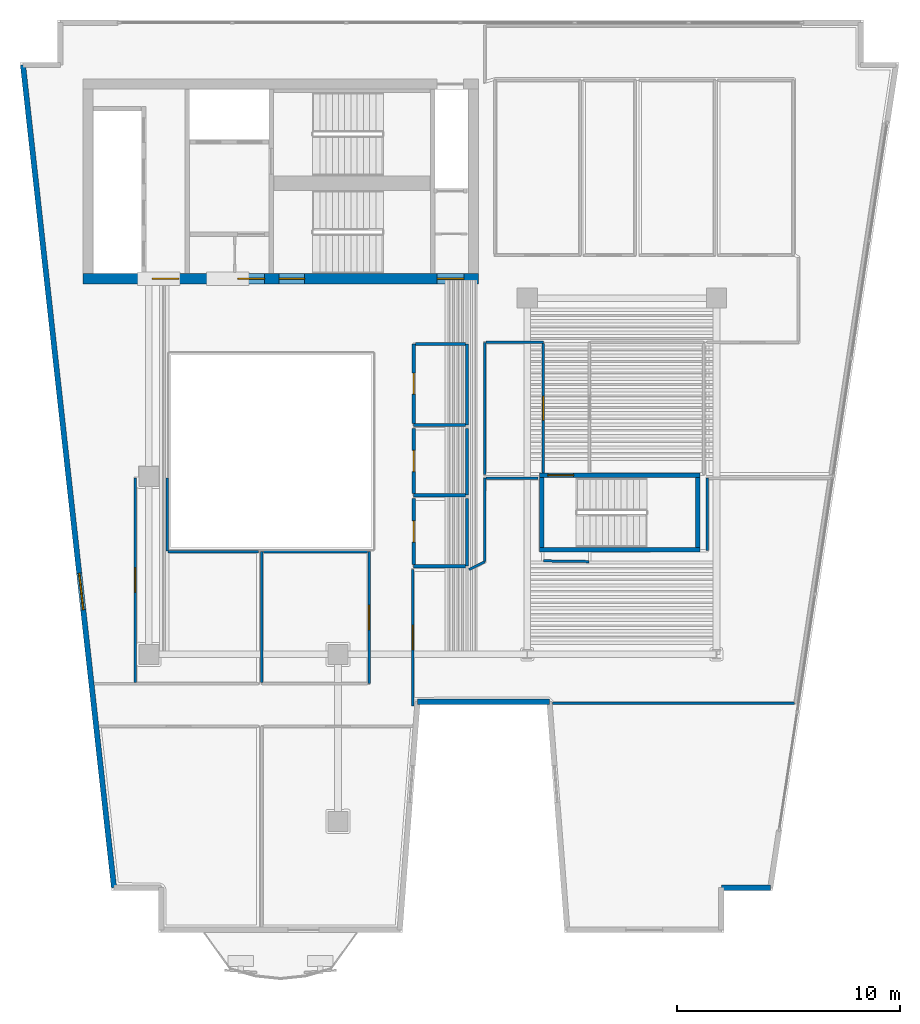
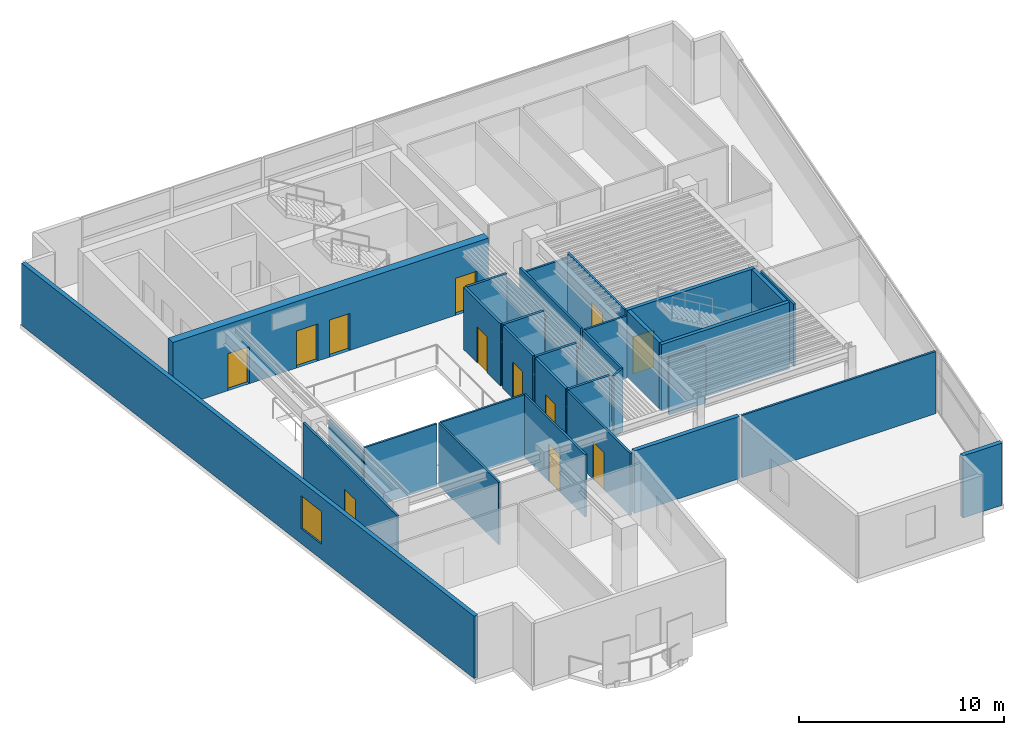
# One storey, part 4 of 8: 34 walls, 12 doors, 1 window, 13 openings.
"""IFC4 building model written with IfcOpenShell, lengths in metres."""

from ifc_helpers import new_model, si_unit, direction, frame, frame_2d, origin, place, context, subcontext, project, spatial, rectangle, extrude, material, layer, layer_set, type_object, element, fill, save


model = new_model("IFC4")

# Units and contexts
model_context = context("Model", 3, precision=1e-05, world=origin(), true_north=direction((0.0, 1.0)))
body_context = subcontext(model_context, "Body", "Model", "MODEL_VIEW")
ifc_project = project(units=[si_unit("LENGTHUNIT", "METRE"), si_unit("AREAUNIT", "SQUARE_METRE"), si_unit("VOLUMEUNIT", "CUBIC_METRE"), si_unit("PLANEANGLEUNIT", "RADIAN"), si_unit("MASSUNIT", "GRAM", prefix="KILO")], contexts=[model_context])

# Site, building, storey
site_placement = place(None, origin())
site = spatial("IfcSite", under=ifc_project, at=site_placement, CompositionType="ELEMENT")
building_placement = place(site_placement, origin())
building = spatial("IfcBuilding", under=site, at=building_placement, Name="Caeloran Harvest Quay", CompositionType="ELEMENT")
storey_placement = place(building_placement, frame((0.0, 0.0, 243.0)))
storey = spatial("IfcBuildingStorey", under=building, at=storey_placement, Name="L58", CompositionType="ELEMENT", Elevation=243.0)

# Wall, opening, window
ifc_material_1 = material(Name="Precast concrete C50/60", Category="concrete")
ifc_layer_1 = layer(ifc_material_1, 0.239990234375, Name="Precast concrete C50/60")
ifc_layer_set_1 = layer_set([ifc_layer_1], Name="Precast concrete C50/60")
wall_type_1 = type_object("IfcWallType", Name="ENV-WALL-EW-240", PredefinedType="STANDARD", material=ifc_layer_set_1)
wall_1_placement = place(storey_placement, frame((6.933349609375, 4.52001953125, 0.0), z_axis=(0.0, 0.0, 1.0), x_axis=(-0.109965284523, 0.993935428587, 0.0)))
wall_1 = element("IfcWall", 1, at=wall_1_placement, inside=storey, type_object=wall_type_1, Name="L58 Exterior Precast Concrete Facade Wall 3", PredefinedType="STANDARD", context=body_context, shape_type="SweptSolid", body=[
    extrude(rectangle(XDim=37.185546875, YDim=0.239990234375, at=frame_2d((18.5927734375, 0.0))), origin(), (0.0, 0.0, 1.0), 3.699951171875),
])
opening_1_placement = place(wall_1_placement, frame((12.56201171875, 0.0, 0.89990234375)))
opening_1 = element("IfcOpeningElement", 2, at=opening_1_placement, cuts=wall_1, Name="Opening W-08", PredefinedType="OPENING", context=body_context, shape_type="SweptSolid", body=[
    extrude(rectangle(XDim=1.64990234375, YDim=1.949951171875, at=frame_2d((0.824951171875, 0.97509765625))), frame((0.0, 0.1298828125, 0.0), z_axis=(0.0, -1.0, 0.0), x_axis=(1.0, 0.0, 0.0)), (0.0, 0.0, 1.0), 0.260009765625),
])
ifc_material_2 = material(Name="Aluminium-Framed Low-E Laminated Glass", Category="aluminium")
window_type = type_object("IfcWindowType", Name="WIN-W-08", PartitioningType="SINGLE_PANEL", PredefinedType="WINDOW", material=ifc_material_2)
window_placement = place(opening_1_placement, origin())
window = element("IfcWindow", 3, at=window_placement, inside=storey, type_object=window_type, Name="L58 Facade Punched Window W-08", OverallHeight=1.949951171875, OverallWidth=1.64990234375, PartitioningType="SINGLE_PANEL", PredefinedType="WINDOW", context=body_context, shape_type="SweptSolid", body=[
    extrude(rectangle(XDim=1.64990234375, YDim=1.949951171875, at=frame_2d((0.824951171875, 0.97509765625))), frame((0.0, 0.030029296875, 0.0), z_axis=(0.0, -1.0, 0.0), x_axis=(1.0, 0.0, 0.0)), (0.0, 0.0, 1.0), 0.06005859375),
])
fill(opening_1, window)

# Walls
wall_2_placement = place(storey_placement, frame((36.423095703125, 4.52001953125, 0.0), z_axis=(0.0, 0.0, 1.0), x_axis=(-1.0, 0.0, 0.0)))
element("IfcWall", 4, at=wall_2_placement, inside=storey, type_object=wall_type_1, Name="L58 Exterior Precast Concrete Facade Wall 10", PredefinedType="STANDARD", context=body_context, shape_type="SweptSolid", body=[
    extrude(rectangle(XDim=2.20703125, YDim=0.239990234375, at=frame_2d((1.103515625, 0.0))), origin(), (0.0, 0.0, 1.0), 3.699951171875),
])
wall_3_placement = place(storey_placement, frame((26.4951171875, 12.8701171875, 0.0), z_axis=(0.0, 0.0, 1.0), x_axis=(-1.0, 0.0, 0.0)))
element("IfcWall", 5, at=wall_3_placement, inside=storey, type_object=wall_type_1, Name="L58 Exterior Precast Concrete Facade Wall 14", PredefinedType="STANDARD", context=body_context, shape_type="SweptSolid", body=[
    extrude(rectangle(XDim=5.922119140625, YDim=0.239990234375, at=frame_2d((2.9609375, 0.0))), origin(), (0.0, 0.0, 1.0), 3.699951171875),
])

# Wall, opening, door
ifc_material_3 = material(Name="Single-Stud Acoustic Gypsum Office Partition", Category="gypsum")
ifc_layer_2 = layer(ifc_material_3, 0.112060546875, Name="Single-Stud Acoustic Gypsum Office Partition")
ifc_layer_set_2 = layer_set([ifc_layer_2], Name="Single-Stud Acoustic Gypsum Office Partition")
wall_type_2 = type_object("IfcWallType", Name="INT-WALL-PW-112", PredefinedType="PARTITIONING", material=ifc_layer_set_2)
wall_4_placement = place(storey_placement, frame((18.389892578125, 19.6201171875, 0.0), z_axis=(0.0, 0.0, 1.0), x_axis=(0.0, -1.0, 0.0)))
wall_4 = element("IfcWall", 6, at=wall_4_placement, inside=storey, type_object=wall_type_2, Name="Director Office Partition Wall", PredefinedType="PARTITIONING", context=body_context, shape_type="SweptSolid", body=[
    extrude(rectangle(XDim=5.940185546875, YDim=0.112060546875, at=frame_2d((2.97021484375, 0.0))), origin(), (0.0, 0.0, 1.0), 3.699951171875),
])
opening_2_placement = place(wall_4_placement, frame((2.419921875, 0.0, 0.0)))
opening_2 = element("IfcOpeningElement", 7, at=opening_2_placement, cuts=wall_4, Name="Opening ID-04", PredefinedType="OPENING", context=body_context, shape_type="SweptSolid", body=[
    extrude(rectangle(XDim=1.10009765625, YDim=2.199951171875, at=frame_2d((0.550048828125, 1.10009765625))), frame((0.0, 0.06591796875, 0.0), z_axis=(0.0, -1.0, 0.0), x_axis=(1.0, 0.0, 0.0)), (0.0, 0.0, 1.0), 0.132080078125),
])
ifc_material_4 = material(Name="Acoustic Walnut Veneer Executive Door", Category="wood")
door_type_1 = type_object("IfcDoorType", Name="INTDOOR-ID-04", OperationType="NOTDEFINED", PredefinedType="DOOR", material=ifc_material_4)
door_1_placement = place(opening_2_placement, origin())
door_1 = element("IfcDoor", 8, at=door_1_placement, inside=storey, type_object=door_type_1, Name="Director Office Access Door", OperationType="SINGLE_SWING_RIGHT", OverallHeight=2.199951171875, OverallWidth=1.10009765625, PredefinedType="DOOR", context=body_context, shape_type="SweptSolid", body=[
    extrude(rectangle(XDim=1.10009765625, YDim=2.199951171875, at=frame_2d((0.550048828125, 1.10009765625))), frame((0.0, 0.02490234375, 0.0), z_axis=(0.0, -1.0, 0.0), x_axis=(1.0, 0.0, 0.0)), (0.0, 0.0, 1.0), 0.050048828125),
])
fill(opening_2, door_1)

# Walls
wall_5_placement = place(storey_placement, frame((13.580078125, 13.740966796875, 0.0), z_axis=(0.0, 0.0, 1.0), x_axis=(0.0, 1.0, 0.0)))
element("IfcWall", 9, at=wall_5_placement, inside=storey, type_object=wall_type_2, Name="Director Office Partition Wall", PredefinedType="PARTITIONING", context=body_context, shape_type="SweptSolid", body=[
    extrude(rectangle(XDim=5.879150390625, YDim=0.112060546875, at=frame_2d((2.939453125, 0.0))), origin(), (0.0, 0.0, 1.0), 3.699951171875),
])
wall_6_placement = place(storey_placement, frame((13.64111328125, 19.6201171875, 0.0), z_axis=(0.0, 0.0, 1.0), x_axis=(1.0, 0.0, 0.0)))
element("IfcWall", 10, at=wall_6_placement, inside=storey, type_object=wall_type_2, Name="Director Office Partition Wall", PredefinedType="PARTITIONING", context=body_context, shape_type="SweptSolid", body=[
    extrude(rectangle(XDim=4.68798828125, YDim=0.112060546875, at=frame_2d((2.343994140625, 0.0))), origin(), (0.0, 0.0, 1.0), 3.699951171875),
])
wall_7_placement = place(storey_placement, frame((33.580078125, 19.6708984375, 0.0), z_axis=(0.0, 0.0, 1.0), x_axis=(0.0, 1.0, 0.0)))
element("IfcWall", 11, at=wall_7_placement, inside=storey, type_object=wall_type_2, Name="Client Review Meeting Room Partition Wall", PredefinedType="PARTITIONING", context=body_context, shape_type="SweptSolid", body=[
    extrude(rectangle(XDim=3.2490234375, YDim=0.112060546875, at=frame_2d((1.62451171875, 0.0))), origin(), (0.0, 0.0, 1.0), 3.699951171875),
])
wall_8_placement = place(storey_placement, frame((37.513916015625, 12.800048828125, 0.0), z_axis=(0.0, 0.0, 1.0), x_axis=(-1.0, 0.0, 0.0)))
element("IfcWall", 12, at=wall_8_placement, inside=storey, type_object=wall_type_2, Name="Client Review Meeting Room Partition Wall", PredefinedType="PARTITIONING", context=body_context, shape_type="SweptSolid", body=[
    extrude(rectangle(XDim=10.88818359375, YDim=0.112060546875, at=frame_2d((5.444091796875, 0.0))), origin(), (0.0, 0.0, 1.0), 3.699951171875),
])

# Wall, opening, door
wall_9_placement = place(storey_placement, frame((20.35009765625, 12.688720703125, 0.0), z_axis=(0.0, 0.0, 1.0), x_axis=(0.0, 1.0, 0.0)))
wall_9 = element("IfcWall", 13, at=wall_9_placement, inside=storey, type_object=wall_type_2, Name="Client Review Meeting Room Partition Wall", PredefinedType="PARTITIONING", context=body_context, shape_type="SweptSolid", body=[
    extrude(rectangle(XDim=6.121337890625, YDim=0.112060546875, at=frame_2d((3.060546875, 0.0))), origin(), (0.0, 0.0, 1.0), 3.699951171875),
])
opening_3_placement = place(wall_9_placement, frame((2.5107421875, 0.0, 0.0)))
opening_3 = element("IfcOpeningElement", 14, at=opening_3_placement, cuts=wall_9, Name="Opening ID-04", PredefinedType="OPENING", context=body_context, shape_type="SweptSolid", body=[
    extrude(rectangle(XDim=1.10009765625, YDim=2.199951171875, at=frame_2d((0.550048828125, 1.10009765625))), frame((0.0, 0.06591796875, 0.0), z_axis=(0.0, -1.0, 0.0), x_axis=(1.0, 0.0, 0.0)), (0.0, 0.0, 1.0), 0.132080078125),
])
door_2_placement = place(opening_3_placement, origin())
door_2 = element("IfcDoor", 15, at=door_2_placement, inside=storey, type_object=door_type_1, Name="Client Review Meeting Room Access Door", OperationType="SINGLE_SWING_LEFT", OverallHeight=2.199951171875, OverallWidth=1.10009765625, PredefinedType="DOOR", context=body_context, shape_type="SweptSolid", body=[
    extrude(rectangle(XDim=1.10009765625, YDim=2.199951171875, at=frame_2d((0.550048828125, 1.10009765625))), frame((0.0, 0.02490234375, 0.0), z_axis=(0.0, -1.0, 0.0), x_axis=(1.0, 0.0, 0.0)), (0.0, 0.0, 1.0), 0.050048828125),
])
fill(opening_3, door_2)

# Walls
wall_10_placement = place(storey_placement, frame((22.883056640625, 18.81005859375, 0.0), z_axis=(0.0, 0.0, 1.0), x_axis=(0.893737436086, 0.448590453909, 0.0)))
element("IfcWall", 16, at=wall_10_placement, inside=storey, type_object=wall_type_2, Name="Client Review Meeting Room Partition Wall", PredefinedType="PARTITIONING", context=body_context, shape_type="SweptSolid", body=[
    extrude(rectangle(XDim=0.77978515625, YDim=0.112060546875, at=frame_2d((0.389892578125, 0.0))), origin(), (0.0, 0.0, 1.0), 3.699951171875),
])
wall_11_placement = place(storey_placement, frame((23.580078125, 19.171142578125, 0.0), z_axis=(0.0, 0.0, 1.0), x_axis=(0.0, 1.0, 0.0)))
element("IfcWall", 17, at=wall_11_placement, inside=storey, type_object=wall_type_2, Name="Client Review Meeting Room Partition Wall", PredefinedType="PARTITIONING", context=body_context, shape_type="SweptSolid", body=[
    extrude(rectangle(XDim=3.748779296875, YDim=0.112060546875, at=frame_2d((1.87451171875, 0.0))), origin(), (0.0, 0.0, 1.0), 3.699951171875),
])
wall_12_placement = place(storey_placement, frame((23.64111328125, 22.919921875, 0.0), z_axis=(0.0, 0.0, 1.0), x_axis=(1.0, 0.0, 0.0)))
element("IfcWall", 18, at=wall_12_placement, inside=storey, type_object=wall_type_2, Name="Client Review Meeting Room Partition Wall", PredefinedType="PARTITIONING", context=body_context, shape_type="SweptSolid", body=[
    extrude(rectangle(XDim=2.347900390625, YDim=0.112060546875, at=frame_2d((1.173828125, 0.0))), origin(), (0.0, 0.0, 1.0), 3.699951171875),
])
wall_13_placement = place(storey_placement, frame((26.219970703125, 19.199951171875, 0.0), z_axis=(0.0, 0.0, 1.0), x_axis=(0.999893773718, -0.014575365509, 0.0)))
element("IfcWall", 19, at=wall_13_placement, inside=storey, type_object=wall_type_2, Name="Client Review Meeting Room Partition Wall", PredefinedType="PARTITIONING", context=body_context, shape_type="SweptSolid", body=[
    extrude(rectangle(XDim=2.060302734375, YDim=0.112060546875, at=frame_2d((1.0302734375, 0.0))), origin(), (0.0, 0.0, 1.0), 3.385009765625),
])
wall_14_placement = place(storey_placement, frame((9.35009765625, 19.6201171875, 0.0), z_axis=(0.0, 0.0, 1.0), x_axis=(1.0, 0.0, 0.0)))
element("IfcWall", 20, at=wall_14_placement, inside=storey, type_object=wall_type_2, Name="Terrace Cafe Kitchen Partition Wall", PredefinedType="PARTITIONING", context=body_context, shape_type="SweptSolid", body=[
    extrude(rectangle(XDim=4.06982421875, YDim=0.112060546875, at=frame_2d((2.034912109375, 0.0))), origin(), (0.0, 0.0, 1.0), 3.699951171875),
])

# Wall, opening, door
wall_15_placement = place(storey_placement, frame((7.8798828125, 13.740966796875, 0.0), z_axis=(0.0, 0.0, 1.0), x_axis=(0.0, 1.0, 0.0)))
wall_15 = element("IfcWall", 21, at=wall_15_placement, inside=storey, type_object=wall_type_2, Name="Terrace Cafe Kitchen Partition Wall", PredefinedType="PARTITIONING", context=body_context, shape_type="SweptSolid", body=[
    extrude(rectangle(XDim=9.178955078125, YDim=0.112060546875, at=frame_2d((4.58935546875, 0.0))), origin(), (0.0, 0.0, 1.0), 3.699951171875),
])
opening_4_placement = place(wall_15_placement, frame((4.03955078125, 0.0, 0.0)))
opening_4 = element("IfcOpeningElement", 22, at=opening_4_placement, cuts=wall_15, Name="Opening ID-04", PredefinedType="OPENING", context=body_context, shape_type="SweptSolid", body=[
    extrude(rectangle(XDim=1.10009765625, YDim=2.199951171875, at=frame_2d((0.550048828125, 1.10009765625))), frame((0.0, 0.06591796875, 0.0), z_axis=(0.0, -1.0, 0.0), x_axis=(1.0, 0.0, 0.0)), (0.0, 0.0, 1.0), 0.132080078125),
])
door_3_placement = place(opening_4_placement, origin())
door_3 = element("IfcDoor", 23, at=door_3_placement, inside=storey, type_object=door_type_1, Name="Terrace Cafe Kitchen Access Door", OperationType="SINGLE_SWING_RIGHT", OverallHeight=2.199951171875, OverallWidth=1.10009765625, PredefinedType="DOOR", context=body_context, shape_type="SweptSolid", body=[
    extrude(rectangle(XDim=1.10009765625, YDim=2.199951171875, at=frame_2d((0.550048828125, 1.10009765625))), frame((0.0, 0.02490234375, 0.0), z_axis=(0.0, -1.0, 0.0), x_axis=(1.0, 0.0, 0.0)), (0.0, 0.0, 1.0), 0.050048828125),
])
fill(opening_4, door_3)

# Walls
wall_16_placement = place(storey_placement, frame((9.320068359375, 22.919921875, 0.0), z_axis=(0.0, 0.0, 1.0), x_axis=(0.0, -1.0, 0.0)))
element("IfcWall", 24, at=wall_16_placement, inside=storey, type_object=wall_type_2, Name="Terrace Cafe Kitchen Partition Wall", PredefinedType="PARTITIONING", context=body_context, shape_type="SweptSolid", body=[
    extrude(rectangle(XDim=3.27001953125, YDim=0.112060546875, at=frame_2d((1.635009765625, 0.0))), origin(), (0.0, 0.0, 1.0), 3.385009765625),
])
wall_17_placement = place(storey_placement, frame((23.580078125, 23.080078125, 0.0), z_axis=(0.0, 0.0, 1.0), x_axis=(0.0, 1.0, 0.0)))
element("IfcWall", 25, at=wall_17_placement, inside=storey, type_object=wall_type_2, Name="Model Workshop Laboratory Partition Wall", PredefinedType="PARTITIONING", context=body_context, shape_type="SweptSolid", body=[
    extrude(rectangle(XDim=5.93994140625, YDim=0.112060546875, at=frame_2d((2.969970703125, 0.0))), origin(), (0.0, 0.0, 1.0), 3.699951171875),
])
wall_18_placement = place(storey_placement, frame((23.64111328125, 29.02001953125, 0.0), z_axis=(0.0, 0.0, 1.0), x_axis=(1.0, 0.0, 0.0)))
element("IfcWall", 26, at=wall_18_placement, inside=storey, type_object=wall_type_2, Name="Model Workshop Laboratory Partition Wall", PredefinedType="PARTITIONING", context=body_context, shape_type="SweptSolid", body=[
    extrude(rectangle(XDim=2.578857421875, YDim=0.112060546875, at=frame_2d((1.28955078125, 0.0))), origin(), (0.0, 0.0, 1.0), 3.385009765625),
])

# Wall, opening, door
wall_19_placement = place(storey_placement, frame((26.219970703125, 28.958984375, 0.0), z_axis=(0.0, 0.0, 1.0), x_axis=(0.0, -1.0, 0.0)))
wall_19 = element("IfcWall", 27, at=wall_19_placement, inside=storey, type_object=wall_type_2, Name="Model Workshop Laboratory Partition Wall", PredefinedType="PARTITIONING", context=body_context, shape_type="SweptSolid", body=[
    extrude(rectangle(XDim=5.803955078125, YDim=0.112060546875, at=frame_2d((2.90185546875, 0.0))), origin(), (0.0, 0.0, 1.0), 3.699951171875),
])
opening_5_placement = place(wall_19_placement, frame((2.35205078125, 0.0, 0.0)))
opening_5 = element("IfcOpeningElement", 28, at=opening_5_placement, cuts=wall_19, Name="Opening ID-04", PredefinedType="OPENING", context=body_context, shape_type="SweptSolid", body=[
    extrude(rectangle(XDim=1.10009765625, YDim=2.199951171875, at=frame_2d((0.550048828125, 1.10009765625))), frame((0.0, 0.06591796875, 0.0), z_axis=(0.0, -1.0, 0.0), x_axis=(1.0, 0.0, 0.0)), (0.0, 0.0, 1.0), 0.132080078125),
])
door_4_placement = place(opening_5_placement, origin())
door_4 = element("IfcDoor", 29, at=door_4_placement, inside=storey, type_object=door_type_1, Name="Model Workshop Laboratory Access Door", OperationType="SINGLE_SWING_LEFT", OverallHeight=2.199951171875, OverallWidth=1.10009765625, PredefinedType="DOOR", context=body_context, shape_type="SweptSolid", body=[
    extrude(rectangle(XDim=1.10009765625, YDim=2.199951171875, at=frame_2d((0.550048828125, 1.10009765625))), frame((0.0, 0.02490234375, 0.0), z_axis=(0.0, -1.0, 0.0), x_axis=(1.0, 0.0, 0.0)), (0.0, 0.0, 1.0), 0.050048828125),
])
fill(opening_5, door_4)

# Walls
ifc_material_5 = material(Name="Moisture-Resistant Cement-Board Sanitary Partition", Category="gypsum")
ifc_layer_3 = layer(ifc_material_5, 0.139892578125, Name="Moisture-Resistant Cement-Board Sanitary Partition")
ifc_layer_set_3 = layer_set([ifc_layer_3], Name="Moisture-Resistant Cement-Board Sanitary Partition")
wall_type_3 = type_object("IfcWallType", Name="INT-WALL-PW-140", PredefinedType="PARTITIONING", material=ifc_layer_set_3)
wall_20_placement = place(storey_placement, frame((22.800048828125, 28.949951171875, 0.0), z_axis=(0.0, 0.0, 1.0), x_axis=(0.0, -1.0, 0.0)))
element("IfcWall", 30, at=wall_20_placement, inside=storey, type_object=wall_type_3, Name="L58 Male Washroom WC Partition Wall", PredefinedType="PARTITIONING", context=body_context, shape_type="SweptSolid", body=[
    extrude(rectangle(XDim=3.64990234375, YDim=0.139892578125, at=frame_2d((1.824951171875, 0.0))), origin(), (0.0, 0.0, 1.0), 3.385009765625),
])
wall_21_placement = place(storey_placement, frame((22.72509765625, 25.300048828125, 0.0), z_axis=(0.0, 0.0, 1.0), x_axis=(-1.0, 0.0, 0.0)))
element("IfcWall", 31, at=wall_21_placement, inside=storey, type_object=wall_type_3, Name="L58 Male Washroom WC Partition Wall", PredefinedType="PARTITIONING", context=body_context, shape_type="SweptSolid", body=[
    extrude(rectangle(XDim=2.3251953125, YDim=0.139892578125, at=frame_2d((1.16259765625, 0.0))), origin(), (0.0, 0.0, 1.0), 3.699951171875),
])

# Wall, opening, door
wall_22_placement = place(storey_placement, frame((20.39990234375, 25.375, 0.0), z_axis=(0.0, 0.0, 1.0), x_axis=(0.0, 1.0, 0.0)))
wall_22 = element("IfcWall", 32, at=wall_22_placement, inside=storey, type_object=wall_type_3, Name="L58 Male Washroom WC Partition Wall", PredefinedType="PARTITIONING", context=body_context, shape_type="SweptSolid", body=[
    extrude(rectangle(XDim=3.574951171875, YDim=0.139892578125, at=frame_2d((1.78759765625, 0.0))), origin(), (0.0, 0.0, 1.0), 3.699951171875),
])
opening_6_placement = place(wall_22_placement, frame((1.3125, 0.0, 0.0)))
opening_6 = element("IfcOpeningElement", 33, at=opening_6_placement, cuts=wall_22, Name="Opening WC-01", PredefinedType="OPENING", context=body_context, shape_type="SweptSolid", body=[
    extrude(rectangle(XDim=0.949951171875, YDim=2.14990234375, at=frame_2d((0.47509765625, 1.074951171875))), frame((0.0, 0.080078125, 0.0), z_axis=(0.0, -1.0, 0.0), x_axis=(1.0, 0.0, 0.0)), (0.0, 0.0, 1.0), 0.159912109375),
])
ifc_material_6 = material(Name="High-Pressure Laminate Moisture-Resistant Timber", Category="wood")
door_type_2 = type_object("IfcDoorType", Name="INTDOOR-WC-01", OperationType="NOTDEFINED", PredefinedType="DOOR", material=ifc_material_6)
door_5_placement = place(opening_6_placement, origin())
door_5 = element("IfcDoor", 34, at=door_5_placement, inside=storey, type_object=door_type_2, Name="L58 Male Washroom WC Access Door", OperationType="SINGLE_SWING_LEFT", OverallHeight=2.14990234375, OverallWidth=0.949951171875, PredefinedType="DOOR", context=body_context, shape_type="SweptSolid", body=[
    extrude(rectangle(XDim=0.949951171875, YDim=2.14990234375, at=frame_2d((0.47509765625, 1.074951171875))), frame((0.0, 0.02490234375, 0.0), z_axis=(0.0, -1.0, 0.0), x_axis=(1.0, 0.0, 0.0)), (0.0, 0.0, 1.0), 0.050048828125),
])
fill(opening_6, door_5)

# Walls
wall_23_placement = place(storey_placement, frame((20.47509765625, 28.949951171875, 0.0), z_axis=(0.0, 0.0, 1.0), x_axis=(1.0, 0.0, 0.0)))
element("IfcWall", 35, at=wall_23_placement, inside=storey, type_object=wall_type_3, Name="L58 Male Washroom WC Partition Wall", PredefinedType="PARTITIONING", context=body_context, shape_type="SweptSolid", body=[
    extrude(rectangle(XDim=2.25, YDim=0.139892578125, at=frame_2d((1.125, 0.0))), origin(), (0.0, 0.0, 1.0), 3.699951171875),
])
wall_24_placement = place(storey_placement, frame((22.800048828125, 25.14990234375, 0.0), z_axis=(0.0, 0.0, 1.0), x_axis=(0.0, -1.0, 0.0)))
element("IfcWall", 36, at=wall_24_placement, inside=storey, type_object=wall_type_3, Name="L58 Female Washroom WC Partition Wall", PredefinedType="PARTITIONING", context=body_context, shape_type="SweptSolid", body=[
    extrude(rectangle(XDim=3.0, YDim=0.139892578125, at=frame_2d((1.5, 0.0))), origin(), (0.0, 0.0, 1.0), 3.385009765625),
])
wall_25_placement = place(storey_placement, frame((22.72509765625, 22.14990234375, 0.0), z_axis=(0.0, 0.0, 1.0), x_axis=(-1.0, 0.0, 0.0)))
element("IfcWall", 37, at=wall_25_placement, inside=storey, type_object=wall_type_3, Name="L58 Female Washroom WC Partition Wall", PredefinedType="PARTITIONING", context=body_context, shape_type="SweptSolid", body=[
    extrude(rectangle(XDim=2.3251953125, YDim=0.139892578125, at=frame_2d((1.16259765625, 0.0))), origin(), (0.0, 0.0, 1.0), 3.699951171875),
])

# Wall, opening, door
wall_26_placement = place(storey_placement, frame((20.39990234375, 22.22509765625, 0.0), z_axis=(0.0, 0.0, 1.0), x_axis=(0.0, 1.0, 0.0)))
wall_26 = element("IfcWall", 38, at=wall_26_placement, inside=storey, type_object=wall_type_3, Name="L58 Female Washroom WC Partition Wall", PredefinedType="PARTITIONING", context=body_context, shape_type="SweptSolid", body=[
    extrude(rectangle(XDim=2.9248046875, YDim=0.139892578125, at=frame_2d((1.46240234375, 0.0))), origin(), (0.0, 0.0, 1.0), 3.699951171875),
])
opening_7_placement = place(wall_26_placement, frame((0.987548828125, 0.0, 0.0)))
opening_7 = element("IfcOpeningElement", 39, at=opening_7_placement, cuts=wall_26, Name="Opening WC-01", PredefinedType="OPENING", context=body_context, shape_type="SweptSolid", body=[
    extrude(rectangle(XDim=0.949951171875, YDim=2.14990234375, at=frame_2d((0.47509765625, 1.074951171875))), frame((0.0, 0.080078125, 0.0), z_axis=(0.0, -1.0, 0.0), x_axis=(1.0, 0.0, 0.0)), (0.0, 0.0, 1.0), 0.159912109375),
])
door_6_placement = place(opening_7_placement, origin())
door_6 = element("IfcDoor", 40, at=door_6_placement, inside=storey, type_object=door_type_2, Name="L58 Female Washroom WC Access Door", OperationType="SINGLE_SWING_RIGHT", OverallHeight=2.14990234375, OverallWidth=0.949951171875, PredefinedType="DOOR", context=body_context, shape_type="SweptSolid", body=[
    extrude(rectangle(XDim=0.949951171875, YDim=2.14990234375, at=frame_2d((0.47509765625, 1.074951171875))), frame((0.0, 0.02490234375, 0.0), z_axis=(0.0, -1.0, 0.0), x_axis=(1.0, 0.0, 0.0)), (0.0, 0.0, 1.0), 0.050048828125),
])
fill(opening_7, door_6)

# Walls
wall_27_placement = place(storey_placement, frame((22.800048828125, 22.0, 0.0), z_axis=(0.0, 0.0, 1.0), x_axis=(0.0, -1.0, 0.0)))
element("IfcWall", 41, at=wall_27_placement, inside=storey, type_object=wall_type_3, Name="L58 Accessible Unisex Washroom WC Partition Wall", PredefinedType="PARTITIONING", context=body_context, shape_type="SweptSolid", body=[
    extrude(rectangle(XDim=3.0400390625, YDim=0.139892578125, at=frame_2d((1.52001953125, 0.0))), origin(), (0.0, 0.0, 1.0), 3.385009765625),
])
wall_28_placement = place(storey_placement, frame((22.72509765625, 18.9599609375, 0.0), z_axis=(0.0, 0.0, 1.0), x_axis=(-1.0, 0.0, 0.0)))
element("IfcWall", 42, at=wall_28_placement, inside=storey, type_object=wall_type_3, Name="L58 Accessible Unisex Washroom WC Partition Wall", PredefinedType="PARTITIONING", context=body_context, shape_type="SweptSolid", body=[
    extrude(rectangle(XDim=2.3251953125, YDim=0.139892578125, at=frame_2d((1.16259765625, 0.0))), origin(), (0.0, 0.0, 1.0), 3.699951171875),
])

# Wall, opening, door
wall_29_placement = place(storey_placement, frame((20.39990234375, 19.034912109375, 0.0), z_axis=(0.0, 0.0, 1.0), x_axis=(0.0, 1.0, 0.0)))
wall_29 = element("IfcWall", 43, at=wall_29_placement, inside=storey, type_object=wall_type_3, Name="L58 Accessible Unisex Washroom WC Partition Wall", PredefinedType="PARTITIONING", context=body_context, shape_type="SweptSolid", body=[
    extrude(rectangle(XDim=2.965087890625, YDim=0.139892578125, at=frame_2d((1.482421875, 0.0))), origin(), (0.0, 0.0, 1.0), 3.699951171875),
])
opening_8_placement = place(wall_29_placement, frame((1.007568359375, 0.0, 0.0)))
opening_8 = element("IfcOpeningElement", 44, at=opening_8_placement, cuts=wall_29, Name="Opening WC-01", PredefinedType="OPENING", context=body_context, shape_type="SweptSolid", body=[
    extrude(rectangle(XDim=0.949951171875, YDim=2.14990234375, at=frame_2d((0.47509765625, 1.074951171875))), frame((0.0, 0.080078125, 0.0), z_axis=(0.0, -1.0, 0.0), x_axis=(1.0, 0.0, 0.0)), (0.0, 0.0, 1.0), 0.159912109375),
])
door_7_placement = place(opening_8_placement, origin())
door_7 = element("IfcDoor", 45, at=door_7_placement, inside=storey, type_object=door_type_2, Name="L58 Accessible Unisex Washroom WC Access Door", OperationType="SINGLE_SWING_LEFT", OverallHeight=2.14990234375, OverallWidth=0.949951171875, PredefinedType="DOOR", context=body_context, shape_type="SweptSolid", body=[
    extrude(rectangle(XDim=0.949951171875, YDim=2.14990234375, at=frame_2d((0.47509765625, 1.074951171875))), frame((0.0, 0.02490234375, 0.0), z_axis=(0.0, -1.0, 0.0), x_axis=(1.0, 0.0, 0.0)), (0.0, 0.0, 1.0), 0.050048828125),
])
fill(opening_8, door_7)

# Wall, openings, doors
ifc_material_7 = material(Name="Concrete C60/75", Category="concrete")
ifc_layer_4 = layer(ifc_material_7, 0.449951171875, Name="Concrete C60/75")
ifc_layer_set_4 = layer_set([ifc_layer_4], Name="Concrete C60/75")
wall_type_4 = type_object("IfcWallType", Name="STR-WALL-CW-450", PredefinedType="SHEAR", material=ifc_layer_set_4)
wall_30_placement = place(storey_placement, frame((5.550048828125, 31.875, 0.0), z_axis=(0.0, 0.0, 1.0), x_axis=(1.0, 0.0, 0.0)))
wall_30 = element("IfcWall", 46, at=wall_30_placement, inside=storey, type_object=wall_type_4, Name="L58 Rear Core Shear Wall S", PredefinedType="SHEAR", context=body_context, shape_type="SweptSolid", body=[
    extrude(rectangle(XDim=17.75, YDim=0.449951171875, at=frame_2d((8.875, 0.0))), origin(), (0.0, 0.0, 1.0), 3.949951171875),
])
opening_9_placement = place(wall_30_placement, frame((3.10009765625, 0.0, 0.0)))
opening_9 = element("IfcOpeningElement", 47, at=opening_9_placement, cuts=wall_30, Name="Opening FD-01", PredefinedType="OPENING", context=body_context, shape_type="SweptSolid", body=[
    extrude(rectangle(XDim=1.199951171875, YDim=2.199951171875, at=frame_2d((0.60009765625, 1.10009765625))), frame((0.0, 0.23486328125, 0.0), z_axis=(0.0, -1.0, 0.0), x_axis=(1.0, 0.0, 0.0)), (0.0, 0.0, 1.0), 0.469970703125),
])
opening_10_placement = place(wall_30_placement, frame((6.949951171875, 0.0, 0.0)))
opening_10 = element("IfcOpeningElement", 48, at=opening_10_placement, cuts=wall_30, Name="Opening FD-01", PredefinedType="OPENING", context=body_context, shape_type="SweptSolid", body=[
    extrude(rectangle(XDim=1.199951171875, YDim=2.199951171875, at=frame_2d((0.60009765625, 1.10009765625))), frame((0.0, 0.23486328125, 0.0), z_axis=(0.0, -1.0, 0.0), x_axis=(1.0, 0.0, 0.0)), (0.0, 0.0, 1.0), 0.469970703125),
])
opening_11_placement = place(wall_30_placement, frame((8.800048828125, 0.0, 0.0)))
opening_11 = element("IfcOpeningElement", 49, at=opening_11_placement, cuts=wall_30, Name="Opening SD-01", PredefinedType="OPENING", context=body_context, shape_type="SweptSolid", body=[
    extrude(rectangle(XDim=1.14990234375, YDim=2.199951171875, at=frame_2d((0.574951171875, 1.10009765625))), frame((0.0, 0.23486328125, 0.0), z_axis=(0.0, -1.0, 0.0), x_axis=(1.0, 0.0, 0.0)), (0.0, 0.0, 1.0), 0.469970703125),
])
opening_12_placement = place(wall_30_placement, frame((15.89990234375, 0.0, 0.0)))
opening_12 = element("IfcOpeningElement", 50, at=opening_12_placement, cuts=wall_30, Name="Opening FD-01", PredefinedType="OPENING", context=body_context, shape_type="SweptSolid", body=[
    extrude(rectangle(XDim=1.199951171875, YDim=2.199951171875, at=frame_2d((0.60009765625, 1.10009765625))), frame((0.0, 0.23486328125, 0.0), z_axis=(0.0, -1.0, 0.0), x_axis=(1.0, 0.0, 0.0)), (0.0, 0.0, 1.0), 0.469970703125),
])
ifc_material_8 = material(Name="Steel", Category="steel")
door_type_3 = type_object("IfcDoorType", Name="INTDOOR-FD-01", OperationType="NOTDEFINED", PredefinedType="DOOR", material=ifc_material_8)
door_8_placement = place(opening_9_placement, origin())
door_8 = element("IfcDoor", 51, at=door_8_placement, inside=storey, type_object=door_type_3, Name="L58 High-Rise Lift Lobby Fire Door", OperationType="SINGLE_SWING_LEFT", OverallHeight=2.199951171875, OverallWidth=1.199951171875, PredefinedType="DOOR", context=body_context, shape_type="SweptSolid", body=[
    extrude(rectangle(XDim=1.199951171875, YDim=2.199951171875, at=frame_2d((0.60009765625, 1.10009765625))), frame((0.0, 0.02490234375, 0.0), z_axis=(0.0, -1.0, 0.0), x_axis=(1.0, 0.0, 0.0)), (0.0, 0.0, 1.0), 0.050048828125),
])
fill(opening_9, door_8)
door_9_placement = place(opening_10_placement, origin())
door_9 = element("IfcDoor", 52, at=door_9_placement, inside=storey, type_object=door_type_3, Name="L58 Firefighting Lobby Vestibule Fire Door", OperationType="SINGLE_SWING_RIGHT", OverallHeight=2.199951171875, OverallWidth=1.199951171875, PredefinedType="DOOR", context=body_context, shape_type="SweptSolid", body=[
    extrude(rectangle(XDim=1.199951171875, YDim=2.199951171875, at=frame_2d((0.60009765625, 1.10009765625))), frame((0.0, 0.02490234375, 0.0), z_axis=(0.0, -1.0, 0.0), x_axis=(1.0, 0.0, 0.0)), (0.0, 0.0, 1.0), 0.050048828125),
])
fill(opening_10, door_9)
door_10_placement = place(opening_12_placement, origin())
door_10 = element("IfcDoor", 53, at=door_10_placement, inside=storey, type_object=door_type_3, Name="L58 Service Lift Lobby Fire Door", OperationType="SINGLE_SWING_RIGHT", OverallHeight=2.199951171875, OverallWidth=1.199951171875, PredefinedType="DOOR", context=body_context, shape_type="SweptSolid", body=[
    extrude(rectangle(XDim=1.199951171875, YDim=2.199951171875, at=frame_2d((0.60009765625, 1.10009765625))), frame((0.0, 0.02490234375, 0.0), z_axis=(0.0, -1.0, 0.0), x_axis=(1.0, 0.0, 0.0)), (0.0, 0.0, 1.0), 0.050048828125),
])
fill(opening_12, door_10)
door_type_4 = type_object("IfcDoorType", Name="INTDOOR-SD-01", OperationType="NOTDEFINED", PredefinedType="DOOR", material=ifc_material_8)
door_11_placement = place(opening_11_placement, origin())
door_11 = element("IfcDoor", 54, at=door_11_placement, inside=storey, type_object=door_type_4, Name="L58 Protected Stair ST-C2 Exit Door", OperationType="SINGLE_SWING_LEFT", OverallHeight=2.199951171875, OverallWidth=1.14990234375, PredefinedType="DOOR", context=body_context, shape_type="SweptSolid", body=[
    extrude(rectangle(XDim=1.14990234375, YDim=2.199951171875, at=frame_2d((0.574951171875, 1.10009765625))), frame((0.0, 0.02490234375, 0.0), z_axis=(0.0, -1.0, 0.0), x_axis=(1.0, 0.0, 0.0)), (0.0, 0.0, 1.0), 0.050048828125),
])
fill(opening_11, door_11)

# Wall
ifc_layer_5 = layer(ifc_material_7, 0.199951171875, Name="Concrete C60/75")
ifc_layer_set_5 = layer_set([ifc_layer_5], Name="Concrete C60/75")
wall_type_5 = type_object("IfcWallType", Name="STR-WALL-SW-200", PredefinedType="SHEAR", material=ifc_layer_set_5)
wall_31_placement = place(storey_placement, frame((26.050048828125, 19.699951171875, 0.0), z_axis=(0.0, 0.0, 1.0), x_axis=(1.0, 0.0, 0.0)))
element("IfcWall", 55, at=wall_31_placement, inside=storey, type_object=wall_type_5, Name="L58 Stair ST-W1 S RC Shaft Shear Wall", PredefinedType="SHEAR", context=body_context, shape_type="SweptSolid", body=[
    extrude(rectangle(XDim=7.199951171875, YDim=0.199951171875, at=frame_2d((3.60009765625, 0.0))), origin(), (0.0, 0.0, 1.0), 3.949951171875),
])

# Wall, opening, door
wall_32_placement = place(storey_placement, frame((26.050048828125, 23.050048828125, 0.0), z_axis=(0.0, 0.0, 1.0), x_axis=(1.0, 0.0, 0.0)))
wall_32 = element("IfcWall", 56, at=wall_32_placement, inside=storey, type_object=wall_type_5, Name="L58 Stair ST-W1 N RC Shaft Shear Wall", PredefinedType="SHEAR", context=body_context, shape_type="SweptSolid", body=[
    extrude(rectangle(XDim=7.199951171875, YDim=0.199951171875, at=frame_2d((3.60009765625, 0.0))), origin(), (0.0, 0.0, 1.0), 3.949951171875),
])
opening_13_placement = place(wall_32_placement, frame((0.3798828125, 0.0, 0.0)))
opening_13 = element("IfcOpeningElement", 57, at=opening_13_placement, cuts=wall_32, Name="Opening SD-01", PredefinedType="OPENING", context=body_context, shape_type="SweptSolid", body=[
    extrude(rectangle(XDim=1.14990234375, YDim=2.199951171875, at=frame_2d((0.574951171875, 1.10009765625))), frame((0.0, 0.10986328125, 0.0), z_axis=(0.0, -1.0, 0.0), x_axis=(1.0, 0.0, 0.0)), (0.0, 0.0, 1.0), 0.219970703125),
])
door_12_placement = place(opening_13_placement, origin())
door_12 = element("IfcDoor", 58, at=door_12_placement, inside=storey, type_object=door_type_4, Name="L58 Protected Exit Stair ST-W1 Fire Door", OperationType="SINGLE_SWING_RIGHT", OverallHeight=2.199951171875, OverallWidth=1.14990234375, PredefinedType="DOOR", context=body_context, shape_type="SweptSolid", body=[
    extrude(rectangle(XDim=1.14990234375, YDim=2.199951171875, at=frame_2d((0.574951171875, 1.10009765625))), frame((0.0, 0.02490234375, 0.0), z_axis=(0.0, -1.0, 0.0), x_axis=(1.0, 0.0, 0.0)), (0.0, 0.0, 1.0), 0.050048828125),
])
fill(opening_13, door_12)

# Walls
for number, where, z_axis, x_axis, name in (
    (59, (26.14990234375, 19.81005859375, 0.0), (0.0, 0.0, 1.0), (0.0, 1.0, 0.0), "L58 Stair ST-W1 W RC Shaft Shear Wall"),
    (60, (33.14990234375, 19.81005859375, 0.0), (0.0, 0.0, 1.0), (0.0, 1.0, 0.0), "L58 Stair ST-W1 E RC Shaft Shear Wall"),
):
    element("IfcWall", number, at=place(storey_placement, frame(where, z_axis=z_axis, x_axis=x_axis)), inside=storey, type_object=wall_type_5, Name=name, PredefinedType="SHEAR", context=body_context, shape_type="SweptSolid", body=[
        extrude(rectangle(XDim=3.1298828125, YDim=0.199951171875, at=frame_2d((1.56494140625, 0.0))), origin(), (0.0, 0.0, 1.0), 3.949951171875),
    ])

save(model, "model.ifc")
